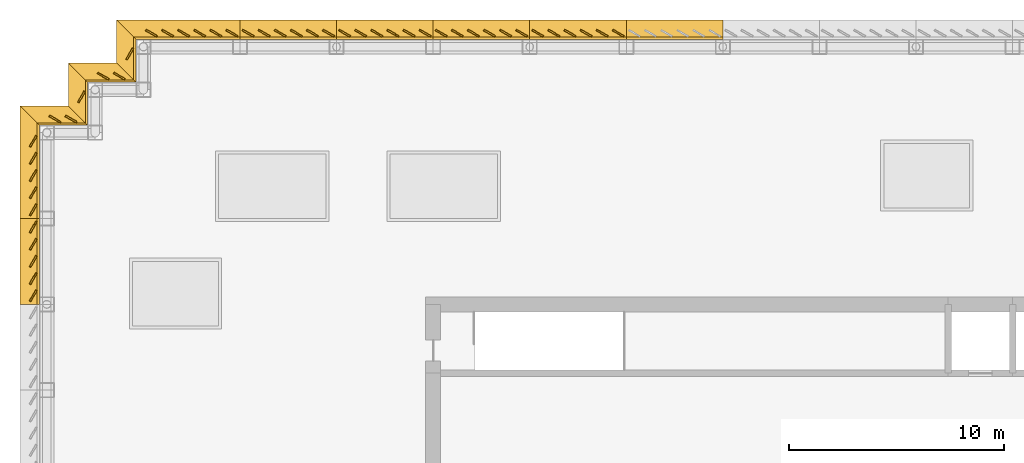
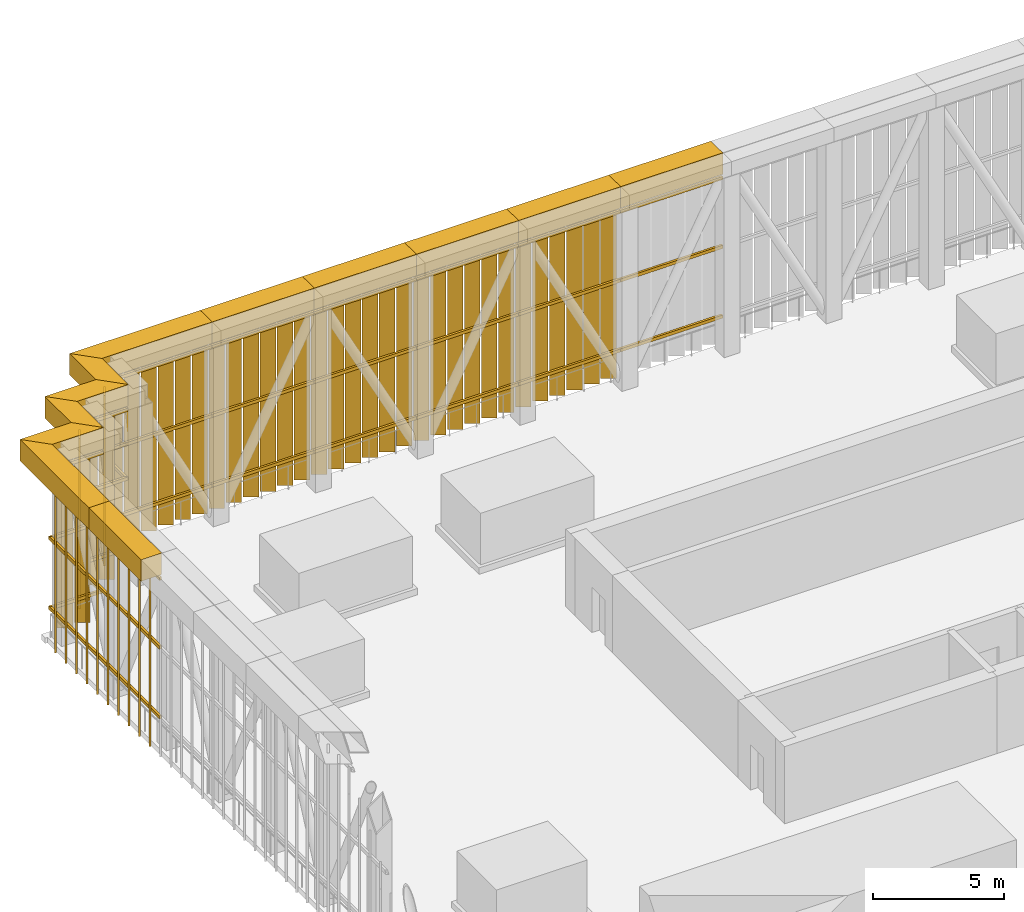
# One storey, part 7 of 11: 35 coverings.
"""IFC4 building model written with IfcOpenShell, lengths in metres."""

import ifcopenshell
import ifcopenshell.guid

model = None  # the IFC model being written
_history = None  # IfcOwnerHistory: only IFC2X3 demands one
_inside = {}  # id of a spatial element -> (the spatial element, [elements in it])
_under = {}  # id of a project, library or spatial element -> (it, [spatial elements below it])
_declared = {}  # id of a project -> (the project, [libraries it declares])
_typed = {}  # id of a type object -> (the type object, [elements of that type])
_made_of = {}  # id of a material, layer set ... -> (it, [elements and type objects made of it])


def new_model(schema):
    """Start an empty IFC model of exactly this schema.

    Asked for "IFC4X3", IfcOpenShell would pick the latest addendum, in which some entities
    have other attributes; the version numbers below select the first issue.
    IFC2X3 requires an IfcOwnerHistory on every rooted entity: one is made here for all.
    """
    global model, _history
    if schema == "IFC4X3":
        model = ifcopenshell.file(schema_version=(4, 3, 0, 0))
    else:
        model = ifcopenshell.file(schema=schema)
    _inside.clear()
    _under.clear()
    _declared.clear()
    _typed.clear()
    _made_of.clear()
    _history = None
    if model.schema == "IFC2X3":
        org = make("IfcOrganization", Name="unknown")
        user = make(
            "IfcPersonAndOrganization",
            ThePerson=make("IfcPerson", FamilyName="unknown"),
            TheOrganization=org,
        )
        app = make(
            "IfcApplication",
            ApplicationDeveloper=org,
            Version="unknown",
            ApplicationFullName="unknown",
            ApplicationIdentifier="unknown",
        )
        _history = make(
            "IfcOwnerHistory",
            OwningUser=user,
            OwningApplication=app,
            ChangeAction="ADDED",
            CreationDate=0,
        )
    return model


def make(cls, **values):
    """One entity of the class cls with the attributes given. An attribute that is None is left unset."""
    return model.create_entity(
        cls, **{name: value for name, value in values.items() if value is not None}
    )


def rooted(cls, **values):
    """An entity with a GlobalId (a new one), such as an element, a storey or a relation."""
    return make(cls, GlobalId=ifcopenshell.guid.new(), OwnerHistory=_history, **values)


def si_unit(unit_type, name, prefix=None):
    """IfcSIUnit, for example si_unit("LENGTHUNIT", "METRE", prefix="MILLI")."""
    return make("IfcSIUnit", UnitType=unit_type, Prefix=prefix, Name=name)


def assignment(units):
    """IfcUnitAssignment: the units of a project."""
    return None if units is None else make("IfcUnitAssignment", Units=units)


def point(xyz):
    """IfcCartesianPoint."""
    return None if xyz is None else make("IfcCartesianPoint", Coordinates=xyz)


def direction(xyz):
    """IfcDirection."""
    return None if xyz is None else make("IfcDirection", DirectionRatios=xyz)


def frame(location, z_axis=None, x_axis=None):
    """IfcAxis2Placement3D, a coordinate frame: its origin and axes. An axis left out is left unset."""
    return make(
        "IfcAxis2Placement3D",
        Location=point(location),
        Axis=direction(z_axis),
        RefDirection=direction(x_axis),
    )


def origin():
    """The frame at (0, 0, 0) with its axes left unset."""
    return frame((0.0, 0.0, 0.0))


def place(relative_to, where):
    """IfcLocalPlacement: puts the frame where relative to a parent placement (None: the world)."""
    return make(
        "IfcLocalPlacement", PlacementRelTo=relative_to, RelativePlacement=where
    )


def context(
    kind, dimensions, precision=None, world=None, true_north=None, identifier=None
):
    """IfcGeometricRepresentationContext, for example the 3D "Model" context."""
    return make(
        "IfcGeometricRepresentationContext",
        ContextIdentifier=identifier,
        ContextType=kind,
        CoordinateSpaceDimension=dimensions,
        Precision=precision,
        WorldCoordinateSystem=world,
        TrueNorth=true_north,
    )


def subcontext(parent, identifier, kind, view, scale=None):
    """IfcGeometricRepresentationSubContext, for example "Body" below "Model"."""
    return make(
        "IfcGeometricRepresentationSubContext",
        ContextIdentifier=identifier,
        ContextType=kind,
        ParentContext=parent,
        TargetScale=scale,
        TargetView=view,
    )


def project(units=None, contexts=None):
    """IfcProject with its units and contexts."""
    return rooted(
        "IfcProject",
        Name="project",
        RepresentationContexts=contexts,
        UnitsInContext=assignment(units),
    )


def spatial(cls, under=None, at=None, **own):
    """A site, building, storey or space (cls), placed at a placement, below another one or the project."""
    s = rooted(cls, ObjectPlacement=at, **own)
    if under is not None:
        _under.setdefault(under.id(), (under, []))[1].append(s)
    return s


def polyline(points):
    """IfcPolyline through the points."""
    return make("IfcPolyline", Points=[point(p) for p in points])


def outline(outer, holes=None, kind="AREA"):
    """IfcArbitraryClosedProfileDef: a profile drawn as a closed curve; with holes, ...WithVoids."""
    if holes is None:
        return make("IfcArbitraryClosedProfileDef", ProfileType=kind, OuterCurve=outer)
    return make(
        "IfcArbitraryProfileDefWithVoids",
        ProfileType=kind,
        OuterCurve=outer,
        InnerCurves=holes,
    )


def extrude(swept, where, along, depth):
    """IfcExtrudedAreaSolid: the profile swept, set in the frame where, extruded along a direction by depth."""
    return make(
        "IfcExtrudedAreaSolid",
        SweptArea=swept,
        Position=where,
        ExtrudedDirection=direction(along),
        Depth=depth,
    )


def shape(context_of_items, identifier, shape_type, items):
    """IfcShapeRepresentation: the items that make up one representation, for example the "Body"."""
    return make(
        "IfcShapeRepresentation",
        ContextOfItems=context_of_items,
        RepresentationIdentifier=identifier,
        RepresentationType=shape_type,
        Items=items,
    )


def material(Name=None, Category=None):
    """IfcMaterial."""
    return make("IfcMaterial", Name=Name, Category=Category)


def layer(
    of_material, thickness, ventilated=None, Name=None, Category=None, Priority=None
):
    """IfcMaterialLayer: one layer of a wall or slab, of a material (None: an air gap)."""
    return make(
        "IfcMaterialLayer",
        Material=of_material,
        LayerThickness=thickness,
        IsVentilated=ventilated,
        Name=Name,
        Category=Category,
        Priority=Priority,
    )


def layer_set(layers, Name=None):
    """IfcMaterialLayerSet."""
    return make("IfcMaterialLayerSet", MaterialLayers=layers, LayerSetName=Name)


def made_of(thing, what):
    """Note that an element or type object is made of a material, layer set ...; save() writes the relation."""
    if what is not None:
        _made_of.setdefault(what.id(), (what, []))[1].append(thing)
    return thing


def type_object(cls, material=None, **own):
    """A type object (cls), such as IfcWallType, which elements share."""
    return made_of(rooted(cls, **own), material)


def element(
    cls,
    number,
    at=None,
    inside=None,
    cuts=None,
    type_object=None,
    material=None,
    context=None,
    identifier="Body",
    shape_type=None,
    held_by="IfcProductDefinitionShape",
    body=None,
    shapes=None,
    **own,
):
    """One element of the class cls, such as IfcWall. Its Tag is "e" and its number.

    at: its placement. inside: the storey or other place that contains it. cuts: it is an
    opening in that element (IfcRelVoidsElement). A single representation is given by context,
    identifier, shape_type and body (its items); several are given by shapes. held_by: the class
    of the entity that holds the representations. save() writes the other relations.
    """
    e = rooted(cls, Tag="e%d" % number, ObjectPlacement=at, **own)
    if body is not None:
        shapes = [shape(context, identifier, shape_type, body)]
    if shapes is not None:
        e.Representation = make(held_by, Representations=shapes)
    if inside is not None:
        _inside.setdefault(inside.id(), (inside, []))[1].append(e)
    if cuts is not None:
        rooted(
            "IfcRelVoidsElement", RelatingBuildingElement=cuts, RelatedOpeningElement=e
        )
    if type_object is not None:
        _typed.setdefault(type_object.id(), (type_object, []))[1].append(e)
    return made_of(e, material)


def aggregate(whole, parts):
    """IfcRelAggregates: a whole, such as a stair, and the parts it consists of."""
    return rooted("IfcRelAggregates", RelatingObject=whole, RelatedObjects=parts)


def save(model, path):
    """Write the relations noted so far, then the file.

    IfcRelAggregates (storeys below a building ...), IfcRelContainedInSpatialStructure (elements
    in a storey), IfcRelDefinesByType, IfcRelAssociatesMaterial and IfcRelDeclares: one each for
    every whole, place, type object, material and project.
    """
    for whole, parts in _under.values():
        aggregate(whole, parts)
    for where, things in _inside.values():
        rooted(
            "IfcRelContainedInSpatialStructure",
            RelatedElements=things,
            RelatingStructure=where,
        )
    for kind, things in _typed.values():
        rooted("IfcRelDefinesByType", RelatedObjects=things, RelatingType=kind)
    for what, things in _made_of.values():
        rooted("IfcRelAssociatesMaterial", RelatedObjects=things, RelatingMaterial=what)
    for by, libraries in _declared.values():
        rooted("IfcRelDeclares", RelatingContext=by, RelatedDefinitions=libraries)
    model.write(path)


model = new_model("IFC4")

# Units and contexts
model_context = context("Model", 3, precision=1e-05, world=origin(), true_north=direction((0.0, 1.0)))
body_context = subcontext(model_context, "Body", "Model", "MODEL_VIEW")
ifc_project = project(units=[si_unit("LENGTHUNIT", "METRE"), si_unit("AREAUNIT", "SQUARE_METRE"), si_unit("VOLUMEUNIT", "CUBIC_METRE"), si_unit("PLANEANGLEUNIT", "RADIAN"), si_unit("MASSUNIT", "GRAM", prefix="KILO")], contexts=[model_context])

# Site, building, storey
site_placement = place(None, origin())
site = spatial("IfcSite", under=ifc_project, at=site_placement, CompositionType="ELEMENT")
building_placement = place(site_placement, origin())
building = spatial("IfcBuilding", under=site, at=building_placement, Name="Rheinbord Bourse Tower", CompositionType="ELEMENT")
storey_placement = place(building_placement, frame((0.0, 0.0, 334.10009765625)))
storey = spatial("IfcBuildingStorey", under=building, at=storey_placement, Name="RF", CompositionType="ELEMENT", Elevation=334.10009765625)

# Coverings
ifc_material_1 = material(Name="Black aluminium coping on a steel frame", Category="steel")
ifc_layer_1 = layer(ifc_material_1, 1.0)
ifc_layer_set_1 = layer_set([ifc_layer_1], Name="CROWN CAP 900x1000")
covering_type_1 = type_object("IfcCoveringType", Name="CROWN CAP 900x1000", PredefinedType="USERDEFINED", material=ifc_layer_set_1)
covering_1_placement = place(storey_placement, frame((0.0, 0.0, 8.0)))
element("IfcCovering", 1, at=covering_1_placement, inside=storey, type_object=covering_type_1, Name="Crown cap N-31.5-N-27", ObjectType="COPING", PredefinedType="USERDEFINED", context=body_context, shape_type="SweptSolid", body=[
    extrude(outline(polyline([(31.5, 44.35009765625), (27.0, 44.35009765625), (27.0, 45.25), (31.5, 45.25), (31.5, 44.35009765625)])), origin(), (0.0, 0.0, 1.0), 1.0),
])
covering_2_placement = place(storey_placement, frame((0.0, 0.0, 8.0)))
element("IfcCovering", 2, at=covering_2_placement, inside=storey, type_object=covering_type_1, Name="Crown cap N-27-N-22.5", ObjectType="COPING", PredefinedType="USERDEFINED", context=body_context, shape_type="SweptSolid", body=[
    extrude(outline(polyline([(27.0, 44.35009765625), (22.5, 44.35009765625), (22.5, 45.25), (27.0, 45.25), (27.0, 44.35009765625)])), origin(), (0.0, 0.0, 1.0), 1.0),
])
covering_3_placement = place(storey_placement, frame((0.0, 0.0, 8.0)))
element("IfcCovering", 3, at=covering_3_placement, inside=storey, type_object=covering_type_1, Name="Crown cap N-22.5-N-18", ObjectType="COPING", PredefinedType="USERDEFINED", context=body_context, shape_type="SweptSolid", body=[
    extrude(outline(polyline([(22.5, 44.35009765625), (18.0, 44.35009765625), (18.0, 45.25), (22.5, 45.25), (22.5, 44.35009765625)])), origin(), (0.0, 0.0, 1.0), 1.0),
])
covering_4_placement = place(storey_placement, frame((0.0, 0.0, 8.0)))
element("IfcCovering", 4, at=covering_4_placement, inside=storey, type_object=covering_type_1, Name="Crown cap N-18-N-13.5", ObjectType="COPING", PredefinedType="USERDEFINED", context=body_context, shape_type="SweptSolid", body=[
    extrude(outline(polyline([(18.0, 44.35009765625), (13.5, 44.35009765625), (13.5, 45.25), (18.0, 45.25), (18.0, 44.35009765625)])), origin(), (0.0, 0.0, 1.0), 1.0),
])
covering_5_placement = place(storey_placement, frame((0.0, 0.0, 8.0)))
element("IfcCovering", 5, at=covering_5_placement, inside=storey, type_object=covering_type_1, Name="Crown cap N-13.5-N-9", ObjectType="COPING", PredefinedType="USERDEFINED", context=body_context, shape_type="SweptSolid", body=[
    extrude(outline(polyline([(13.5, 44.35009765625), (9.0, 44.35009765625), (9.0, 45.25), (13.5, 45.25), (13.5, 44.35009765625)])), origin(), (0.0, 0.0, 1.0), 1.0),
])
covering_6_placement = place(storey_placement, frame((0.0, 0.0, 8.0)))
element("IfcCovering", 6, at=covering_6_placement, inside=storey, type_object=covering_type_1, Name="Crown cap N-9-NW-E", ObjectType="COPING", PredefinedType="USERDEFINED", context=body_context, shape_type="SweptSolid", body=[
    extrude(outline(polyline([(9.0, 44.35009765625), (4.14990234375, 44.35009765625), (3.25, 45.25), (9.0, 45.25), (9.0, 44.35009765625)])), origin(), (0.0, 0.0, 1.0), 1.0),
])
covering_7_placement = place(storey_placement, frame((0.0, 0.0, 8.0)))
element("IfcCovering", 7, at=covering_7_placement, inside=storey, type_object=covering_type_1, Name="Crown cap NW-E-NW-D", ObjectType="COPING", PredefinedType="USERDEFINED", context=body_context, shape_type="SweptSolid", body=[
    extrude(outline(polyline([(4.14990234375, 44.35009765625), (4.14990234375, 42.35009765625), (3.25, 43.25), (3.25, 45.25), (4.14990234375, 44.35009765625)])), origin(), (0.0, 0.0, 1.0), 1.0),
])
covering_8_placement = place(storey_placement, frame((0.0, 0.0, 8.0)))
element("IfcCovering", 8, at=covering_8_placement, inside=storey, type_object=covering_type_1, Name="Crown cap NW-D-NW-C", ObjectType="COPING", PredefinedType="USERDEFINED", context=body_context, shape_type="SweptSolid", body=[
    extrude(outline(polyline([(4.14990234375, 42.35009765625), (1.89990234375, 42.35009765625), (1.0, 43.25), (3.25, 43.25), (4.14990234375, 42.35009765625)])), origin(), (0.0, 0.0, 1.0), 1.0),
])
covering_9_placement = place(storey_placement, frame((0.0, 0.0, 8.0)))
element("IfcCovering", 9, at=covering_9_placement, inside=storey, type_object=covering_type_1, Name="Crown cap NW-C-NW-B", ObjectType="COPING", PredefinedType="USERDEFINED", context=body_context, shape_type="SweptSolid", body=[
    extrude(outline(polyline([(1.89990234375, 42.35009765625), (1.89990234375, 40.35009765625), (1.0, 41.25), (1.0, 43.25), (1.89990234375, 42.35009765625)])), origin(), (0.0, 0.0, 1.0), 1.0),
])
covering_10_placement = place(storey_placement, frame((0.0, 0.0, 8.0)))
element("IfcCovering", 10, at=covering_10_placement, inside=storey, type_object=covering_type_1, Name="Crown cap NW-B-NW-A", ObjectType="COPING", PredefinedType="USERDEFINED", context=body_context, shape_type="SweptSolid", body=[
    extrude(outline(polyline([(1.89990234375, 40.35009765625), (-0.35009765625, 40.35009765625), (-1.25, 41.25), (1.0, 41.25), (1.89990234375, 40.35009765625)])), origin(), (0.0, 0.0, 1.0), 1.0),
])
covering_11_placement = place(storey_placement, frame((0.0, 0.0, 8.0)))
element("IfcCovering", 11, at=covering_11_placement, inside=storey, type_object=covering_type_1, Name="Crown cap NW-A-W-36", ObjectType="COPING", PredefinedType="USERDEFINED", context=body_context, shape_type="SweptSolid", body=[
    extrude(outline(polyline([(-0.35009765625, 40.35009765625), (-0.35009765625, 36.0), (-1.25, 36.0), (-1.25, 41.25), (-0.35009765625, 40.35009765625)])), origin(), (0.0, 0.0, 1.0), 1.0),
])
covering_12_placement = place(storey_placement, frame((0.0, 0.0, 8.0)))
element("IfcCovering", 12, at=covering_12_placement, inside=storey, type_object=covering_type_1, Name="Crown cap W-36-W-32", ObjectType="COPING", PredefinedType="USERDEFINED", context=body_context, shape_type="SweptSolid", body=[
    extrude(outline(polyline([(-0.35009765625, 36.0), (-0.35009765625, 32.0), (-1.25, 32.0), (-1.25, 36.0), (-0.35009765625, 36.0)])), origin(), (0.0, 0.0, 1.0), 1.0),
])
ifc_material_2 = material(Name="Black anodised aluminium", Category="aluminium")
ifc_layer_2 = layer(ifc_material_2, 0.080078125)
ifc_layer_set_2 = layer_set([ifc_layer_2], Name="CROWN SCREEN BLADE 600x80")
covering_type_2 = type_object("IfcCoveringType", Name="CROWN SCREEN BLADE 600x80", PredefinedType="USERDEFINED", material=ifc_layer_set_2)
covering_13_placement = place(storey_placement, frame((0.0, 0.0, 0.0498046875)))
element("IfcCovering", 13, at=covering_13_placement, inside=storey, type_object=covering_type_2, Name="Crown screen blades N-27-N-22.5", ObjectType="LOUVRE", PredefinedType="USERDEFINED", context=body_context, shape_type="SweptSolid", body=[
    extrude(outline(polyline([(26.864990234375, 44.449951171875), (26.344970703125, 44.75), (26.385009765625, 44.819091796875), (26.905029296875, 44.51904296875), (26.864990234375, 44.449951171875)])), origin(), (0.0, 0.0, 1.0), 7.9501953125),
    extrude(outline(polyline([(26.114990234375, 44.449951171875), (25.594970703125, 44.75), (25.635009765625, 44.819091796875), (26.155029296875, 44.51904296875), (26.114990234375, 44.449951171875)])), origin(), (0.0, 0.0, 1.0), 7.9501953125),
    extrude(outline(polyline([(25.364990234375, 44.449951171875), (24.844970703125, 44.75), (24.885009765625, 44.819091796875), (25.405029296875, 44.51904296875), (25.364990234375, 44.449951171875)])), origin(), (0.0, 0.0, 1.0), 7.9501953125),
    extrude(outline(polyline([(24.614990234375, 44.449951171875), (24.094970703125, 44.75), (24.135009765625, 44.819091796875), (24.655029296875, 44.51904296875), (24.614990234375, 44.449951171875)])), origin(), (0.0, 0.0, 1.0), 7.9501953125),
    extrude(outline(polyline([(23.864990234375, 44.449951171875), (23.344970703125, 44.75), (23.385009765625, 44.819091796875), (23.905029296875, 44.51904296875), (23.864990234375, 44.449951171875)])), origin(), (0.0, 0.0, 1.0), 7.9501953125),
    extrude(outline(polyline([(23.114990234375, 44.449951171875), (22.594970703125, 44.75), (22.635009765625, 44.819091796875), (23.155029296875, 44.51904296875), (23.114990234375, 44.449951171875)])), origin(), (0.0, 0.0, 1.0), 7.9501953125),
])
covering_14_placement = place(storey_placement, frame((0.0, 0.0, 0.0498046875)))
element("IfcCovering", 14, at=covering_14_placement, inside=storey, type_object=covering_type_2, Name="Crown screen blades N-22.5-N-18", ObjectType="LOUVRE", PredefinedType="USERDEFINED", context=body_context, shape_type="SweptSolid", body=[
    extrude(outline(polyline([(22.364990234375, 44.449951171875), (21.844970703125, 44.75), (21.885009765625, 44.819091796875), (22.405029296875, 44.51904296875), (22.364990234375, 44.449951171875)])), origin(), (0.0, 0.0, 1.0), 7.9501953125),
    extrude(outline(polyline([(21.614990234375, 44.449951171875), (21.094970703125, 44.75), (21.135009765625, 44.819091796875), (21.655029296875, 44.51904296875), (21.614990234375, 44.449951171875)])), origin(), (0.0, 0.0, 1.0), 7.9501953125),
    extrude(outline(polyline([(20.864990234375, 44.449951171875), (20.344970703125, 44.75), (20.385009765625, 44.819091796875), (20.905029296875, 44.51904296875), (20.864990234375, 44.449951171875)])), origin(), (0.0, 0.0, 1.0), 7.9501953125),
    extrude(outline(polyline([(20.114990234375, 44.449951171875), (19.594970703125, 44.75), (19.635009765625, 44.819091796875), (20.155029296875, 44.51904296875), (20.114990234375, 44.449951171875)])), origin(), (0.0, 0.0, 1.0), 7.9501953125),
    extrude(outline(polyline([(19.364990234375, 44.449951171875), (18.844970703125, 44.75), (18.885009765625, 44.819091796875), (19.405029296875, 44.51904296875), (19.364990234375, 44.449951171875)])), origin(), (0.0, 0.0, 1.0), 7.9501953125),
    extrude(outline(polyline([(18.614990234375, 44.449951171875), (18.094970703125, 44.75), (18.135009765625, 44.819091796875), (18.655029296875, 44.51904296875), (18.614990234375, 44.449951171875)])), origin(), (0.0, 0.0, 1.0), 7.9501953125),
])
covering_15_placement = place(storey_placement, frame((0.0, 0.0, 0.0498046875)))
element("IfcCovering", 15, at=covering_15_placement, inside=storey, type_object=covering_type_2, Name="Crown screen blades N-18-N-13.5", ObjectType="LOUVRE", PredefinedType="USERDEFINED", context=body_context, shape_type="SweptSolid", body=[
    extrude(outline(polyline([(17.864990234375, 44.449951171875), (17.344970703125, 44.75), (17.385009765625, 44.819091796875), (17.905029296875, 44.51904296875), (17.864990234375, 44.449951171875)])), origin(), (0.0, 0.0, 1.0), 7.9501953125),
    extrude(outline(polyline([(17.114990234375, 44.449951171875), (16.594970703125, 44.75), (16.635009765625, 44.819091796875), (17.155029296875, 44.51904296875), (17.114990234375, 44.449951171875)])), origin(), (0.0, 0.0, 1.0), 7.9501953125),
    extrude(outline(polyline([(16.364990234375, 44.449951171875), (15.844970703125, 44.75), (15.885009765625, 44.819091796875), (16.405029296875, 44.51904296875), (16.364990234375, 44.449951171875)])), origin(), (0.0, 0.0, 1.0), 7.9501953125),
    extrude(outline(polyline([(15.614990234375, 44.449951171875), (15.094970703125, 44.75), (15.135009765625, 44.819091796875), (15.655029296875, 44.51904296875), (15.614990234375, 44.449951171875)])), origin(), (0.0, 0.0, 1.0), 7.9501953125),
    extrude(outline(polyline([(14.864990234375, 44.449951171875), (14.344970703125, 44.75), (14.385009765625, 44.819091796875), (14.905029296875, 44.51904296875), (14.864990234375, 44.449951171875)])), origin(), (0.0, 0.0, 1.0), 7.9501953125),
    extrude(outline(polyline([(14.114990234375, 44.449951171875), (13.594970703125, 44.75), (13.635009765625, 44.819091796875), (14.155029296875, 44.51904296875), (14.114990234375, 44.449951171875)])), origin(), (0.0, 0.0, 1.0), 7.9501953125),
])
covering_16_placement = place(storey_placement, frame((0.0, 0.0, 0.0498046875)))
element("IfcCovering", 16, at=covering_16_placement, inside=storey, type_object=covering_type_2, Name="Crown screen blades N-13.5-N-9", ObjectType="LOUVRE", PredefinedType="USERDEFINED", context=body_context, shape_type="SweptSolid", body=[
    extrude(outline(polyline([(13.364990234375, 44.449951171875), (12.844970703125, 44.75), (12.885009765625, 44.819091796875), (13.405029296875, 44.51904296875), (13.364990234375, 44.449951171875)])), origin(), (0.0, 0.0, 1.0), 7.9501953125),
    extrude(outline(polyline([(12.614990234375, 44.449951171875), (12.094970703125, 44.75), (12.135009765625, 44.819091796875), (12.655029296875, 44.51904296875), (12.614990234375, 44.449951171875)])), origin(), (0.0, 0.0, 1.0), 7.9501953125),
    extrude(outline(polyline([(11.864990234375, 44.449951171875), (11.344970703125, 44.75), (11.385009765625, 44.819091796875), (11.905029296875, 44.51904296875), (11.864990234375, 44.449951171875)])), origin(), (0.0, 0.0, 1.0), 7.9501953125),
    extrude(outline(polyline([(11.114990234375, 44.449951171875), (10.594970703125, 44.75), (10.635009765625, 44.819091796875), (11.155029296875, 44.51904296875), (11.114990234375, 44.449951171875)])), origin(), (0.0, 0.0, 1.0), 7.9501953125),
    extrude(outline(polyline([(10.364990234375, 44.449951171875), (9.844970703125, 44.75), (9.885009765625, 44.819091796875), (10.405029296875, 44.51904296875), (10.364990234375, 44.449951171875)])), origin(), (0.0, 0.0, 1.0), 7.9501953125),
    extrude(outline(polyline([(9.614990234375, 44.449951171875), (9.094970703125, 44.75), (9.135009765625, 44.819091796875), (9.655029296875, 44.51904296875), (9.614990234375, 44.449951171875)])), origin(), (0.0, 0.0, 1.0), 7.9501953125),
])
covering_17_placement = place(storey_placement, frame((0.0, 0.0, 0.0498046875)))
element("IfcCovering", 17, at=covering_17_placement, inside=storey, type_object=covering_type_2, Name="Crown screen blades N-9-NW-E", ObjectType="LOUVRE", PredefinedType="USERDEFINED", context=body_context, shape_type="SweptSolid", body=[
    extrude(outline(polyline([(8.864990234375, 44.449951171875), (8.344970703125, 44.75), (8.385009765625, 44.819091796875), (8.905029296875, 44.51904296875), (8.864990234375, 44.449951171875)])), origin(), (0.0, 0.0, 1.0), 7.9501953125),
    extrude(outline(polyline([(8.114990234375, 44.449951171875), (7.594970703125, 44.75), (7.635009765625, 44.819091796875), (8.155029296875, 44.51904296875), (8.114990234375, 44.449951171875)])), origin(), (0.0, 0.0, 1.0), 7.9501953125),
    extrude(outline(polyline([(7.364990234375, 44.449951171875), (6.844970703125, 44.75), (6.885009765625, 44.819091796875), (7.405029296875, 44.51904296875), (7.364990234375, 44.449951171875)])), origin(), (0.0, 0.0, 1.0), 7.9501953125),
    extrude(outline(polyline([(6.614990234375, 44.449951171875), (6.094970703125, 44.75), (6.135009765625, 44.819091796875), (6.655029296875, 44.51904296875), (6.614990234375, 44.449951171875)])), origin(), (0.0, 0.0, 1.0), 7.9501953125),
    extrude(outline(polyline([(5.864990234375, 44.449951171875), (5.344970703125, 44.75), (5.385009765625, 44.819091796875), (5.905029296875, 44.51904296875), (5.864990234375, 44.449951171875)])), origin(), (0.0, 0.0, 1.0), 7.9501953125),
    extrude(outline(polyline([(5.114990234375, 44.449951171875), (4.594970703125, 44.75), (4.635009765625, 44.819091796875), (5.155029296875, 44.51904296875), (5.114990234375, 44.449951171875)])), origin(), (0.0, 0.0, 1.0), 7.9501953125),
])
covering_18_placement = place(storey_placement, frame((0.0, 0.0, 0.0498046875)))
element("IfcCovering", 18, at=covering_18_placement, inside=storey, type_object=covering_type_2, Name="Crown screen blades NW-E-NW-D", ObjectType="LOUVRE", PredefinedType="USERDEFINED", context=body_context, shape_type="SweptSolid", body=[
    extrude(outline(polyline([(4.050048828125, 43.906005859375), (3.75, 43.386962890625), (3.680908203125, 43.427001953125), (3.98095703125, 43.946044921875), (4.050048828125, 43.906005859375)])), origin(), (0.0, 0.0, 1.0), 7.9501953125),
])
covering_19_placement = place(storey_placement, frame((0.0, 0.0, 0.0498046875)))
element("IfcCovering", 19, at=covering_19_placement, inside=storey, type_object=covering_type_2, Name="Crown screen blades NW-D-NW-C", ObjectType="LOUVRE", PredefinedType="USERDEFINED", context=body_context, shape_type="SweptSolid", body=[
    extrude(outline(polyline([(3.614990234375, 42.449951171875), (3.094970703125, 42.75), (3.135009765625, 42.819091796875), (3.655029296875, 42.51904296875), (3.614990234375, 42.449951171875)])), origin(), (0.0, 0.0, 1.0), 7.9501953125),
    extrude(outline(polyline([(2.864990234375, 42.449951171875), (2.344970703125, 42.75), (2.385009765625, 42.819091796875), (2.905029296875, 42.51904296875), (2.864990234375, 42.449951171875)])), origin(), (0.0, 0.0, 1.0), 7.9501953125),
])
covering_20_placement = place(storey_placement, frame((0.0, 0.0, 0.0498046875)))
element("IfcCovering", 20, at=covering_20_placement, inside=storey, type_object=covering_type_2, Name="Crown screen blades NW-C-NW-B", ObjectType="LOUVRE", PredefinedType="USERDEFINED", context=body_context, shape_type="SweptSolid", body=[
    extrude(outline(polyline([(1.800048828125, 41.906005859375), (1.5, 41.386962890625), (1.430908203125, 41.427001953125), (1.73095703125, 41.946044921875), (1.800048828125, 41.906005859375)])), origin(), (0.0, 0.0, 1.0), 7.9501953125),
])
covering_21_placement = place(storey_placement, frame((0.0, 0.0, 0.0498046875)))
element("IfcCovering", 21, at=covering_21_placement, inside=storey, type_object=covering_type_2, Name="Crown screen blades NW-B-NW-A", ObjectType="LOUVRE", PredefinedType="USERDEFINED", context=body_context, shape_type="SweptSolid", body=[
    extrude(outline(polyline([(1.364990234375, 40.449951171875), (0.844970703125, 40.75), (0.885009765625, 40.819091796875), (1.405029296875, 40.51904296875), (1.364990234375, 40.449951171875)])), origin(), (0.0, 0.0, 1.0), 7.9501953125),
    extrude(outline(polyline([(0.614990234375, 40.449951171875), (0.094970703125, 40.75), (0.135009765625, 40.819091796875), (0.655029296875, 40.51904296875), (0.614990234375, 40.449951171875)])), origin(), (0.0, 0.0, 1.0), 7.9501953125),
])
covering_22_placement = place(storey_placement, frame((0.0, 0.0, 0.0498046875)))
element("IfcCovering", 22, at=covering_22_placement, inside=storey, type_object=covering_type_2, Name="Crown screen blades NW-A-W-36", ObjectType="LOUVRE", PredefinedType="USERDEFINED", context=body_context, shape_type="SweptSolid", body=[
    extrude(outline(polyline([(-0.449951171875, 39.840087890625), (-0.75, 39.320068359375), (-0.819091796875, 39.360107421875), (-0.51904296875, 39.8798828125), (-0.449951171875, 39.840087890625)])), origin(), (0.0, 0.0, 1.0), 7.9501953125),
    extrude(outline(polyline([(-0.449951171875, 39.0400390625), (-0.75, 38.52001953125), (-0.819091796875, 38.56005859375), (-0.51904296875, 39.080078125), (-0.449951171875, 39.0400390625)])), origin(), (0.0, 0.0, 1.0), 7.9501953125),
    extrude(outline(polyline([(-0.449951171875, 38.239990234375), (-0.75, 37.719970703125), (-0.819091796875, 37.760009765625), (-0.51904296875, 38.280029296875), (-0.449951171875, 38.239990234375)])), origin(), (0.0, 0.0, 1.0), 7.9501953125),
    extrude(outline(polyline([(-0.449951171875, 37.43994140625), (-0.75, 36.919921875), (-0.819091796875, 36.9599609375), (-0.51904296875, 37.47998046875), (-0.449951171875, 37.43994140625)])), origin(), (0.0, 0.0, 1.0), 7.9501953125),
    extrude(outline(polyline([(-0.449951171875, 36.639892578125), (-0.75, 36.1201171875), (-0.819091796875, 36.159912109375), (-0.51904296875, 36.679931640625), (-0.449951171875, 36.639892578125)])), origin(), (0.0, 0.0, 1.0), 7.9501953125),
])
covering_23_placement = place(storey_placement, frame((0.0, 0.0, 0.0498046875)))
element("IfcCovering", 23, at=covering_23_placement, inside=storey, type_object=covering_type_2, Name="Crown screen blades W-36-W-32", ObjectType="LOUVRE", PredefinedType="USERDEFINED", context=body_context, shape_type="SweptSolid", body=[
    extrude(outline(polyline([(-0.449951171875, 35.840087890625), (-0.75, 35.320068359375), (-0.819091796875, 35.360107421875), (-0.51904296875, 35.8798828125), (-0.449951171875, 35.840087890625)])), origin(), (0.0, 0.0, 1.0), 7.9501953125),
    extrude(outline(polyline([(-0.449951171875, 35.0400390625), (-0.75, 34.52001953125), (-0.819091796875, 34.56005859375), (-0.51904296875, 35.080078125), (-0.449951171875, 35.0400390625)])), origin(), (0.0, 0.0, 1.0), 7.9501953125),
    extrude(outline(polyline([(-0.449951171875, 34.239990234375), (-0.75, 33.719970703125), (-0.819091796875, 33.760009765625), (-0.51904296875, 34.280029296875), (-0.449951171875, 34.239990234375)])), origin(), (0.0, 0.0, 1.0), 7.9501953125),
    extrude(outline(polyline([(-0.449951171875, 33.43994140625), (-0.75, 32.919921875), (-0.819091796875, 32.9599609375), (-0.51904296875, 33.47998046875), (-0.449951171875, 33.43994140625)])), origin(), (0.0, 0.0, 1.0), 7.9501953125),
    extrude(outline(polyline([(-0.449951171875, 32.639892578125), (-0.75, 32.1201171875), (-0.819091796875, 32.159912109375), (-0.51904296875, 32.679931640625), (-0.449951171875, 32.639892578125)])), origin(), (0.0, 0.0, 1.0), 7.9501953125),
])
ifc_material_3 = material(Name="Black powder-coated steel", Category="steel")
ifc_layer_3 = layer(ifc_material_3, 0.10009765625)
ifc_layer_set_3 = layer_set([ifc_layer_3], Name="CROWN SCREEN RAIL 150x100")
covering_type_3 = type_object("IfcCoveringType", Name="CROWN SCREEN RAIL 150x100", PredefinedType="USERDEFINED", material=ifc_layer_set_3)
covering_24_placement = place(storey_placement, frame((0.0, 0.0, 1.2998046875)))
element("IfcCovering", 24, at=covering_24_placement, inside=storey, type_object=covering_type_3, Name="Crown screen rails N-31.5-N-27", ObjectType="LOUVRE RAIL", PredefinedType="USERDEFINED", context=body_context, shape_type="SweptSolid", body=[
    extrude(outline(polyline([(31.5, 44.35009765625), (27.0, 44.35009765625), (27.0, 44.449951171875), (31.5, 44.449951171875), (31.5, 44.35009765625)])), origin(), (0.0, 0.0, 1.0), 0.150146484375),
    extrude(outline(polyline([(31.5, 44.35009765625), (27.0, 44.35009765625), (27.0, 44.449951171875), (31.5, 44.449951171875), (31.5, 44.35009765625)])), frame((0.0, 0.0, 3.25)), (0.0, 0.0, 1.0), 0.150146484375),
    extrude(outline(polyline([(31.5, 44.35009765625), (27.0, 44.35009765625), (27.0, 44.449951171875), (31.5, 44.449951171875), (31.5, 44.35009765625)])), frame((0.0, 0.0, 6.4501953125)), (0.0, 0.0, 1.0), 0.14990234375),
])
covering_25_placement = place(storey_placement, frame((0.0, 0.0, 1.2998046875)))
element("IfcCovering", 25, at=covering_25_placement, inside=storey, type_object=covering_type_3, Name="Crown screen rails N-27-N-22.5", ObjectType="LOUVRE RAIL", PredefinedType="USERDEFINED", context=body_context, shape_type="SweptSolid", body=[
    extrude(outline(polyline([(27.0, 44.35009765625), (22.5, 44.35009765625), (22.5, 44.449951171875), (27.0, 44.449951171875), (27.0, 44.35009765625)])), origin(), (0.0, 0.0, 1.0), 0.150146484375),
    extrude(outline(polyline([(27.0, 44.35009765625), (22.5, 44.35009765625), (22.5, 44.449951171875), (27.0, 44.449951171875), (27.0, 44.35009765625)])), frame((0.0, 0.0, 3.25)), (0.0, 0.0, 1.0), 0.150146484375),
    extrude(outline(polyline([(27.0, 44.35009765625), (22.5, 44.35009765625), (22.5, 44.449951171875), (27.0, 44.449951171875), (27.0, 44.35009765625)])), frame((0.0, 0.0, 6.4501953125)), (0.0, 0.0, 1.0), 0.14990234375),
])
covering_26_placement = place(storey_placement, frame((0.0, 0.0, 1.2998046875)))
element("IfcCovering", 26, at=covering_26_placement, inside=storey, type_object=covering_type_3, Name="Crown screen rails N-22.5-N-18", ObjectType="LOUVRE RAIL", PredefinedType="USERDEFINED", context=body_context, shape_type="SweptSolid", body=[
    extrude(outline(polyline([(22.5, 44.35009765625), (18.0, 44.35009765625), (18.0, 44.449951171875), (22.5, 44.449951171875), (22.5, 44.35009765625)])), origin(), (0.0, 0.0, 1.0), 0.150146484375),
    extrude(outline(polyline([(22.5, 44.35009765625), (18.0, 44.35009765625), (18.0, 44.449951171875), (22.5, 44.449951171875), (22.5, 44.35009765625)])), frame((0.0, 0.0, 3.25)), (0.0, 0.0, 1.0), 0.150146484375),
    extrude(outline(polyline([(22.5, 44.35009765625), (18.0, 44.35009765625), (18.0, 44.449951171875), (22.5, 44.449951171875), (22.5, 44.35009765625)])), frame((0.0, 0.0, 6.4501953125)), (0.0, 0.0, 1.0), 0.14990234375),
])
covering_27_placement = place(storey_placement, frame((0.0, 0.0, 1.2998046875)))
element("IfcCovering", 27, at=covering_27_placement, inside=storey, type_object=covering_type_3, Name="Crown screen rails N-18-N-13.5", ObjectType="LOUVRE RAIL", PredefinedType="USERDEFINED", context=body_context, shape_type="SweptSolid", body=[
    extrude(outline(polyline([(18.0, 44.35009765625), (13.5, 44.35009765625), (13.5, 44.449951171875), (18.0, 44.449951171875), (18.0, 44.35009765625)])), origin(), (0.0, 0.0, 1.0), 0.150146484375),
    extrude(outline(polyline([(18.0, 44.35009765625), (13.5, 44.35009765625), (13.5, 44.449951171875), (18.0, 44.449951171875), (18.0, 44.35009765625)])), frame((0.0, 0.0, 3.25)), (0.0, 0.0, 1.0), 0.150146484375),
    extrude(outline(polyline([(18.0, 44.35009765625), (13.5, 44.35009765625), (13.5, 44.449951171875), (18.0, 44.449951171875), (18.0, 44.35009765625)])), frame((0.0, 0.0, 6.4501953125)), (0.0, 0.0, 1.0), 0.14990234375),
])
covering_28_placement = place(storey_placement, frame((0.0, 0.0, 1.2998046875)))
element("IfcCovering", 28, at=covering_28_placement, inside=storey, type_object=covering_type_3, Name="Crown screen rails N-13.5-N-9", ObjectType="LOUVRE RAIL", PredefinedType="USERDEFINED", context=body_context, shape_type="SweptSolid", body=[
    extrude(outline(polyline([(13.5, 44.35009765625), (9.0, 44.35009765625), (9.0, 44.449951171875), (13.5, 44.449951171875), (13.5, 44.35009765625)])), origin(), (0.0, 0.0, 1.0), 0.150146484375),
    extrude(outline(polyline([(13.5, 44.35009765625), (9.0, 44.35009765625), (9.0, 44.449951171875), (13.5, 44.449951171875), (13.5, 44.35009765625)])), frame((0.0, 0.0, 3.25)), (0.0, 0.0, 1.0), 0.150146484375),
    extrude(outline(polyline([(13.5, 44.35009765625), (9.0, 44.35009765625), (9.0, 44.449951171875), (13.5, 44.449951171875), (13.5, 44.35009765625)])), frame((0.0, 0.0, 6.4501953125)), (0.0, 0.0, 1.0), 0.14990234375),
])
covering_29_placement = place(storey_placement, frame((0.0, 0.0, 1.2998046875)))
element("IfcCovering", 29, at=covering_29_placement, inside=storey, type_object=covering_type_3, Name="Crown screen rails N-9-NW-E", ObjectType="LOUVRE RAIL", PredefinedType="USERDEFINED", context=body_context, shape_type="SweptSolid", body=[
    extrude(outline(polyline([(9.0, 44.35009765625), (4.14990234375, 44.35009765625), (4.050048828125, 44.449951171875), (9.0, 44.449951171875), (9.0, 44.35009765625)])), origin(), (0.0, 0.0, 1.0), 0.150146484375),
    extrude(outline(polyline([(9.0, 44.35009765625), (4.14990234375, 44.35009765625), (4.050048828125, 44.449951171875), (9.0, 44.449951171875), (9.0, 44.35009765625)])), frame((0.0, 0.0, 3.25)), (0.0, 0.0, 1.0), 0.150146484375),
    extrude(outline(polyline([(9.0, 44.35009765625), (4.14990234375, 44.35009765625), (4.050048828125, 44.449951171875), (9.0, 44.449951171875), (9.0, 44.35009765625)])), frame((0.0, 0.0, 6.4501953125)), (0.0, 0.0, 1.0), 0.14990234375),
])
covering_30_placement = place(storey_placement, frame((0.0, 0.0, 1.2998046875)))
element("IfcCovering", 30, at=covering_30_placement, inside=storey, type_object=covering_type_3, Name="Crown screen rails NW-E-NW-D", ObjectType="LOUVRE RAIL", PredefinedType="USERDEFINED", context=body_context, shape_type="SweptSolid", body=[
    extrude(outline(polyline([(4.14990234375, 44.35009765625), (4.14990234375, 42.35009765625), (4.050048828125, 42.449951171875), (4.050048828125, 44.449951171875), (4.14990234375, 44.35009765625)])), origin(), (0.0, 0.0, 1.0), 0.150146484375),
    extrude(outline(polyline([(4.14990234375, 44.35009765625), (4.14990234375, 42.35009765625), (4.050048828125, 42.449951171875), (4.050048828125, 44.449951171875), (4.14990234375, 44.35009765625)])), frame((0.0, 0.0, 3.25)), (0.0, 0.0, 1.0), 0.150146484375),
    extrude(outline(polyline([(4.14990234375, 44.35009765625), (4.14990234375, 42.35009765625), (4.050048828125, 42.449951171875), (4.050048828125, 44.449951171875), (4.14990234375, 44.35009765625)])), frame((0.0, 0.0, 6.4501953125)), (0.0, 0.0, 1.0), 0.14990234375),
])
covering_31_placement = place(storey_placement, frame((0.0, 0.0, 1.2998046875)))
element("IfcCovering", 31, at=covering_31_placement, inside=storey, type_object=covering_type_3, Name="Crown screen rails NW-D-NW-C", ObjectType="LOUVRE RAIL", PredefinedType="USERDEFINED", context=body_context, shape_type="SweptSolid", body=[
    extrude(outline(polyline([(4.14990234375, 42.35009765625), (1.89990234375, 42.35009765625), (1.800048828125, 42.449951171875), (4.050048828125, 42.449951171875), (4.14990234375, 42.35009765625)])), origin(), (0.0, 0.0, 1.0), 0.150146484375),
    extrude(outline(polyline([(4.14990234375, 42.35009765625), (1.89990234375, 42.35009765625), (1.800048828125, 42.449951171875), (4.050048828125, 42.449951171875), (4.14990234375, 42.35009765625)])), frame((0.0, 0.0, 3.25)), (0.0, 0.0, 1.0), 0.150146484375),
    extrude(outline(polyline([(4.14990234375, 42.35009765625), (1.89990234375, 42.35009765625), (1.800048828125, 42.449951171875), (4.050048828125, 42.449951171875), (4.14990234375, 42.35009765625)])), frame((0.0, 0.0, 6.4501953125)), (0.0, 0.0, 1.0), 0.14990234375),
])
covering_32_placement = place(storey_placement, frame((0.0, 0.0, 1.2998046875)))
element("IfcCovering", 32, at=covering_32_placement, inside=storey, type_object=covering_type_3, Name="Crown screen rails NW-C-NW-B", ObjectType="LOUVRE RAIL", PredefinedType="USERDEFINED", context=body_context, shape_type="SweptSolid", body=[
    extrude(outline(polyline([(1.89990234375, 42.35009765625), (1.89990234375, 40.35009765625), (1.800048828125, 40.449951171875), (1.800048828125, 42.449951171875), (1.89990234375, 42.35009765625)])), origin(), (0.0, 0.0, 1.0), 0.150146484375),
    extrude(outline(polyline([(1.89990234375, 42.35009765625), (1.89990234375, 40.35009765625), (1.800048828125, 40.449951171875), (1.800048828125, 42.449951171875), (1.89990234375, 42.35009765625)])), frame((0.0, 0.0, 3.25)), (0.0, 0.0, 1.0), 0.150146484375),
    extrude(outline(polyline([(1.89990234375, 42.35009765625), (1.89990234375, 40.35009765625), (1.800048828125, 40.449951171875), (1.800048828125, 42.449951171875), (1.89990234375, 42.35009765625)])), frame((0.0, 0.0, 6.4501953125)), (0.0, 0.0, 1.0), 0.14990234375),
])
covering_33_placement = place(storey_placement, frame((0.0, 0.0, 1.2998046875)))
element("IfcCovering", 33, at=covering_33_placement, inside=storey, type_object=covering_type_3, Name="Crown screen rails NW-B-NW-A", ObjectType="LOUVRE RAIL", PredefinedType="USERDEFINED", context=body_context, shape_type="SweptSolid", body=[
    extrude(outline(polyline([(1.89990234375, 40.35009765625), (-0.35009765625, 40.35009765625), (-0.449951171875, 40.449951171875), (1.800048828125, 40.449951171875), (1.89990234375, 40.35009765625)])), origin(), (0.0, 0.0, 1.0), 0.150146484375),
    extrude(outline(polyline([(1.89990234375, 40.35009765625), (-0.35009765625, 40.35009765625), (-0.449951171875, 40.449951171875), (1.800048828125, 40.449951171875), (1.89990234375, 40.35009765625)])), frame((0.0, 0.0, 3.25)), (0.0, 0.0, 1.0), 0.150146484375),
    extrude(outline(polyline([(1.89990234375, 40.35009765625), (-0.35009765625, 40.35009765625), (-0.449951171875, 40.449951171875), (1.800048828125, 40.449951171875), (1.89990234375, 40.35009765625)])), frame((0.0, 0.0, 6.4501953125)), (0.0, 0.0, 1.0), 0.14990234375),
])
covering_34_placement = place(storey_placement, frame((0.0, 0.0, 1.2998046875)))
element("IfcCovering", 34, at=covering_34_placement, inside=storey, type_object=covering_type_3, Name="Crown screen rails NW-A-W-36", ObjectType="LOUVRE RAIL", PredefinedType="USERDEFINED", context=body_context, shape_type="SweptSolid", body=[
    extrude(outline(polyline([(-0.35009765625, 40.35009765625), (-0.35009765625, 36.0), (-0.449951171875, 36.0), (-0.449951171875, 40.449951171875), (-0.35009765625, 40.35009765625)])), origin(), (0.0, 0.0, 1.0), 0.150146484375),
    extrude(outline(polyline([(-0.35009765625, 40.35009765625), (-0.35009765625, 36.0), (-0.449951171875, 36.0), (-0.449951171875, 40.449951171875), (-0.35009765625, 40.35009765625)])), frame((0.0, 0.0, 3.25)), (0.0, 0.0, 1.0), 0.150146484375),
    extrude(outline(polyline([(-0.35009765625, 40.35009765625), (-0.35009765625, 36.0), (-0.449951171875, 36.0), (-0.449951171875, 40.449951171875), (-0.35009765625, 40.35009765625)])), frame((0.0, 0.0, 6.4501953125)), (0.0, 0.0, 1.0), 0.14990234375),
])
covering_35_placement = place(storey_placement, frame((0.0, 0.0, 1.2998046875)))
element("IfcCovering", 35, at=covering_35_placement, inside=storey, type_object=covering_type_3, Name="Crown screen rails W-36-W-32", ObjectType="LOUVRE RAIL", PredefinedType="USERDEFINED", context=body_context, shape_type="SweptSolid", body=[
    extrude(outline(polyline([(-0.35009765625, 36.0), (-0.35009765625, 32.0), (-0.449951171875, 32.0), (-0.449951171875, 36.0), (-0.35009765625, 36.0)])), origin(), (0.0, 0.0, 1.0), 0.150146484375),
    extrude(outline(polyline([(-0.35009765625, 36.0), (-0.35009765625, 32.0), (-0.449951171875, 32.0), (-0.449951171875, 36.0), (-0.35009765625, 36.0)])), frame((0.0, 0.0, 3.25)), (0.0, 0.0, 1.0), 0.150146484375),
    extrude(outline(polyline([(-0.35009765625, 36.0), (-0.35009765625, 32.0), (-0.449951171875, 32.0), (-0.449951171875, 36.0), (-0.35009765625, 36.0)])), frame((0.0, 0.0, 6.4501953125)), (0.0, 0.0, 1.0), 0.14990234375),
])

save(model, "model.ifc")
